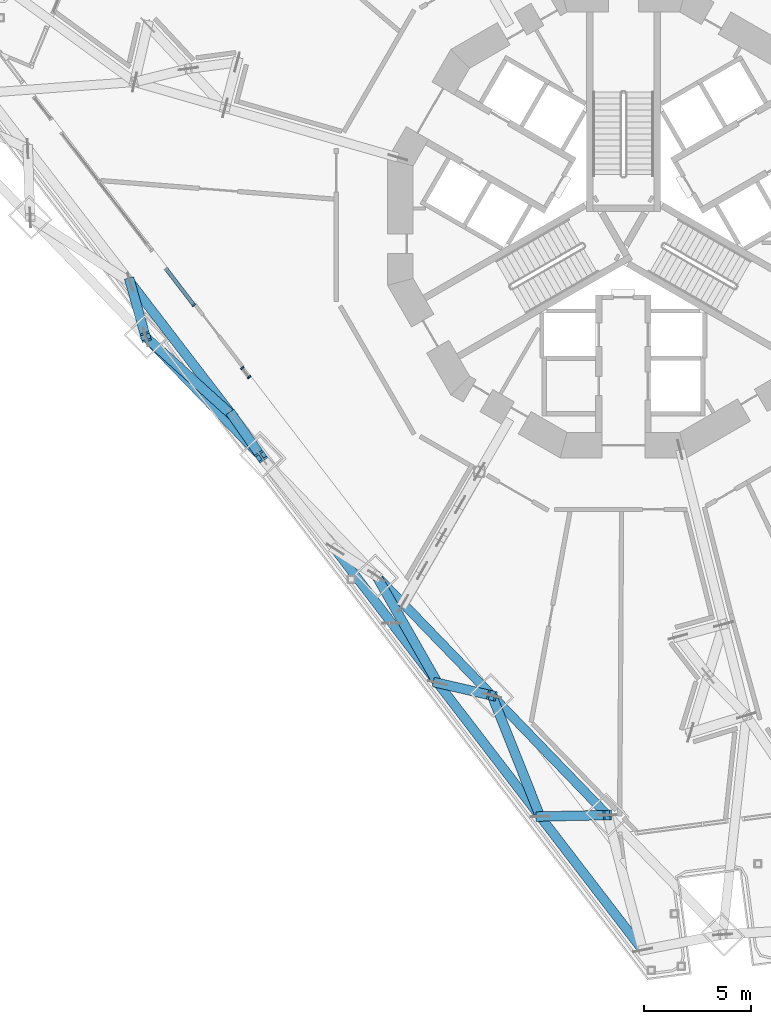
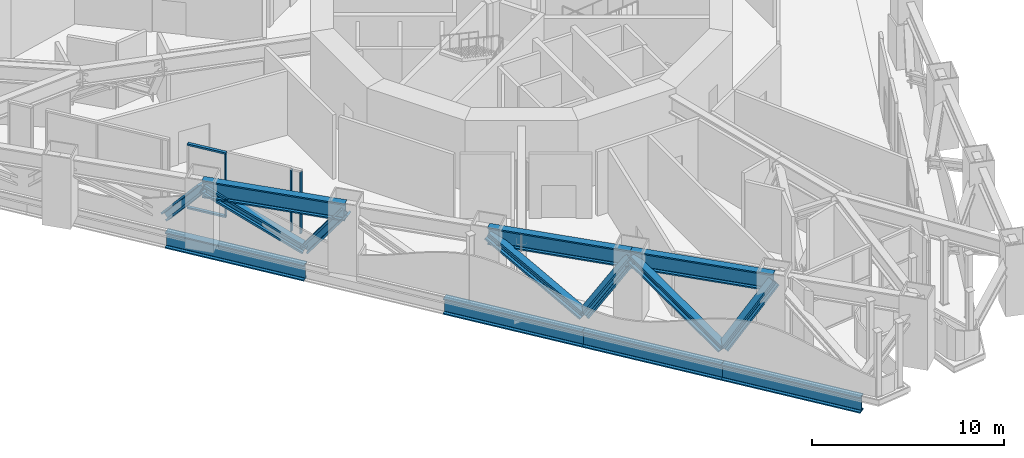
# One storey, part 1 of 31: 19 members, 2 elements without a shape of their own.
"""IFC4 building model written with IfcOpenShell, lengths in metres."""

from ifc_helpers import new_model, si_unit, direction, frame, origin, origin_2d, place, context, subcontext, project, spatial, rectangle, i_section, extrude, material, layer, layer_set, material_profile, profile_set, type_object, element, aggregate, save


model = new_model("IFC4")

# Units and contexts
model_context = context("Model", 3, precision=1e-05, world=origin(), true_north=direction((0.0, 1.0)))
body_context = subcontext(model_context, "Body", "Model", "MODEL_VIEW")
ifc_project = project(units=[si_unit("LENGTHUNIT", "METRE"), si_unit("AREAUNIT", "SQUARE_METRE"), si_unit("VOLUMEUNIT", "CUBIC_METRE"), si_unit("PLANEANGLEUNIT", "RADIAN"), si_unit("MASSUNIT", "GRAM", prefix="KILO")], contexts=[model_context])

# Site, building, storey
site_placement = place(None, origin())
site = spatial("IfcSite", under=ifc_project, at=site_placement, CompositionType="ELEMENT")
building_placement = place(site_placement, origin())
building = spatial("IfcBuilding", under=site, at=building_placement, Name="Trine Commons Tower", CompositionType="ELEMENT")
storey_placement = place(building_placement, frame((0.0, 0.0, 82.800048828125)))
storey = spatial("IfcBuildingStorey", under=building, at=storey_placement, Name="L20", CompositionType="ELEMENT", Elevation=82.800048828125)

# Curtain wall, members
ifc_material_1 = material(Name="Sky lounge glazing: anodised aluminium frame with low-emissivity double glazed unit, solar control", Category="aluminium")
ifc_layer = layer(ifc_material_1, 0.179931640625)
ifc_layer_set = layer_set([ifc_layer], Name="Sky lounge glazing: anodised aluminium frame with low-emissivity double glazed unit, solar control")
curtain_wall_type = type_object("IfcCurtainWallType", Name="Sky lounge glazing curtain wall CW5", PredefinedType="NOTDEFINED", material=ifc_layer_set)
curtain_wall_1_placement = place(storey_placement, origin())
curtain_wall_1 = element("IfcCurtainWall", 1, at=curtain_wall_1_placement, inside=storey, type_object=curtain_wall_type, Name="Sky lounge glazing L20 F3.1", PredefinedType="NOTDEFINED")
ifc_material_2 = material(Name="Anodised aluminium, bronze finish", Category="aluminium")
ifc_material_profile_1 = material_profile(ifc_material_2, rectangle(XDim=0.179931640625, YDim=0.074951171875, at=origin_2d()), Name="Mullion 75x180")
ifc_profile_set_1 = profile_set([ifc_material_profile_1], Name="Anodised aluminium, bronze finish")
member_type_1 = type_object("IfcMemberType", Name="Mullion 75x180, Anodised aluminium, bronze finish", PredefinedType="MULLION", material=ifc_profile_set_1)
member_1_placement = place(storey_placement, frame((62.52783203125, 55.263671875, 0.10986328125), z_axis=(0.0, 0.0, 1.0), x_axis=(-0.793353340291, -0.608761429009, 0.0)))
member_1 = element("IfcMember", 2, at=member_1_placement, type_object=member_type_1, Name="CW5 mullion 1.1", PredefinedType="MULLION", context=body_context, shape_type="SweptSolid", body=[
    extrude(rectangle(XDim=0.179931640625, YDim=0.074951171875, at=origin_2d()), origin(), (0.0, 0.0, 1.0), 3.93017578125),
])
member_2_placement = place(storey_placement, frame((62.20361328125, 55.686279296875, 0.10986328125), z_axis=(0.0, 0.0, 1.0), x_axis=(-0.793353340291, -0.608761429009, 0.0)))
member_2 = element("IfcMember", 3, at=member_2_placement, type_object=member_type_1, Name="CW5 mullion 2.1", PredefinedType="MULLION", context=body_context, shape_type="SweptSolid", body=[
    extrude(rectangle(XDim=0.179931640625, YDim=0.074951171875, at=origin_2d()), origin(), (0.0, 0.0, 1.0), 3.93017578125),
])
aggregate(curtain_wall_1, [member_1, member_2])

# Curtain wall, member
curtain_wall_2_placement = place(storey_placement, origin())
curtain_wall_2 = element("IfcCurtainWall", 4, at=curtain_wall_2_placement, inside=storey, type_object=curtain_wall_type, Name="Sky lounge glazing L20 F3.2", PredefinedType="NOTDEFINED")
member_3_placement = place(storey_placement, frame((59.939697265625, 58.63671875, 0.10986328125), z_axis=(0.0, 0.0, 1.0), x_axis=(-0.793353340291, -0.608761429009, 0.0)))
member_3 = element("IfcMember", 5, at=member_3_placement, type_object=member_type_1, Name="CW5 mullion 1.1", PredefinedType="MULLION", context=body_context, shape_type="SweptSolid", body=[
    extrude(rectangle(XDim=0.179931640625, YDim=0.074951171875, at=origin_2d()), origin(), (0.0, 0.0, 1.0), 3.93017578125),
])

# Members
ifc_material_3 = material(Name="Structural steel ASTM A992 Gr50", Category="steel")
ifc_material_profile_2 = material_profile(ifc_material_3, i_section(OverallWidth=0.44775390625, OverallDepth=0.54931640625, WebThickness=0.072021484375, FlangeThickness=0.11474609375, FilletRadius=0.01513671875, at=origin_2d()), Name="W14X665")
ifc_profile_set_2 = profile_set([ifc_material_profile_2], Name="Structural steel ASTM A992 Gr50")
member_type_2 = type_object("IfcMemberType", Name="Steel brace W14X665, ASTM A992 Gr50", PredefinedType="BRACE", material=ifc_profile_set_2)
member_4_placement = place(storey_placement, frame((76.1142578125, 34.74853515625, 0.504638671875), z_axis=(0.711354993995, 0.015388428008, 0.702664406955), x_axis=(-0.021627497886, 0.999766098313, 0.0)))
element("IfcMember", 6, at=member_4_placement, inside=storey, type_object=member_type_2, Name="Belt truss brace T2-DG-03", PredefinedType="BRACE", context=body_context, shape_type="SweptSolid", body=[
    extrude(i_section(OverallWidth=0.44775390625, OverallDepth=0.54931640625, WebThickness=0.072021484375, FlangeThickness=0.11474609375, FilletRadius=0.01513671875, at=origin_2d()), origin(), (0.0, 0.0, 1.0), 4.41064453125),
])
member_5_placement = place(storey_placement, frame((71.3291015625, 40.984619140625, 0.504638671875), z_axis=(0.626228133392, -0.145303270882, 0.765979950403), x_axis=(0.226024737145, 0.974121562331, 0.0)))
element("IfcMember", 7, at=member_5_placement, inside=storey, type_object=member_type_2, Name="Belt truss brace T2-DG-05", PredefinedType="BRACE", context=body_context, shape_type="SweptSolid", body=[
    extrude(i_section(OverallWidth=0.44775390625, OverallDepth=0.54931640625, WebThickness=0.072021484375, FlangeThickness=0.11474609375, FilletRadius=0.01513671875, at=origin_2d()), origin(), (0.0, 0.0, 1.0), 4.0458984375),
])
member_6_placement = place(storey_placement, frame((76.1142578125, 34.74853515625, 0.504638671875), z_axis=(-0.329902280224, 0.827617572435, 0.454107519537), x_axis=(-0.928919087969, -0.370282767635, 0.0)))
element("IfcMember", 8, at=member_6_placement, inside=storey, type_object=member_type_2, Name="Belt truss brace T2-DG-06", PredefinedType="BRACE", context=body_context, shape_type="SweptSolid", body=[
    extrude(i_section(OverallWidth=0.44775390625, OverallDepth=0.54931640625, WebThickness=0.072021484375, FlangeThickness=0.11474609375, FilletRadius=0.01513671875, at=origin_2d()), origin(), (0.0, 0.0, 1.0), 6.82470703125),
])
member_7_placement = place(storey_placement, frame((71.3291015625, 40.984619140625, 0.504638671875), z_axis=(-0.437028136557, 0.764191995946, 0.474359569513), x_axis=(-0.868073296991, -0.496436049306, 0.0)))
element("IfcMember", 9, at=member_7_placement, inside=storey, type_object=member_type_2, Name="Belt truss brace T2-DG-08", PredefinedType="BRACE", context=body_context, shape_type="SweptSolid", body=[
    extrude(i_section(OverallWidth=0.44775390625, OverallDepth=0.54931640625, WebThickness=0.072021484375, FlangeThickness=0.11474609375, FilletRadius=0.01513671875, at=origin_2d()), origin(), (0.0, 0.0, 1.0), 6.533203125),
])
member_8_placement = place(storey_placement, frame((61.7587890625, 53.45703125, 0.504638671875), z_axis=(0.342746934201, -0.490900432268, 0.800962736146), x_axis=(0.819924482972, 0.572471695566, 0.0)))
element("IfcMember", 10, at=member_8_placement, inside=storey, type_object=member_type_2, Name="Belt truss brace T2-DG-09", PredefinedType="BRACE", context=body_context, shape_type="SweptSolid", body=[
    extrude(i_section(OverallWidth=0.44775390625, OverallDepth=0.54931640625, WebThickness=0.072021484375, FlangeThickness=0.11474609375, FilletRadius=0.01513671875, at=origin_2d()), origin(), (0.0, 0.0, 1.0), 3.869140625),
])
member_9_placement = place(storey_placement, frame((56.9736328125, 59.693115234375, 0.504638671875), z_axis=(0.177014190032, -0.626100207124, 0.759384294786), x_axis=(0.962280104383, 0.272060656303, 0.0)))
element("IfcMember", 11, at=member_9_placement, inside=storey, type_object=member_type_2, Name="Belt truss brace T2-DG-11", PredefinedType="BRACE", context=body_context, shape_type="SweptSolid", body=[
    extrude(i_section(OverallWidth=0.44775390625, OverallDepth=0.54931640625, WebThickness=0.072021484375, FlangeThickness=0.11474609375, FilletRadius=0.01513671875, at=origin_2d()), origin(), (0.0, 0.0, 1.0), 4.0810546875),
])
member_10_placement = place(storey_placement, frame((61.7587890625, 53.45703125, 0.504638671875), z_axis=(-0.645127728823, 0.584495569224, 0.492112937304), x_axis=(-0.671423906043, -0.741073504043, 0.0)))
element("IfcMember", 12, at=member_10_placement, inside=storey, type_object=member_type_2, Name="Belt truss brace T2-DG-12", PredefinedType="BRACE", context=body_context, shape_type="SweptSolid", body=[
    extrude(i_section(OverallWidth=0.44775390625, OverallDepth=0.54931640625, WebThickness=0.072021484375, FlangeThickness=0.11474609375, FilletRadius=0.01513671875, at=origin_2d()), origin(), (0.0, 0.0, 1.0), 6.297607421875),
])
ifc_material_profile_3 = material_profile(ifc_material_3, i_section(OverallWidth=0.43798828125, OverallDepth=1.009521484375, WebThickness=0.041015625, FlangeThickness=0.073974609375, FilletRadius=0.024169921875, at=origin_2d()), Name="W36X529")
ifc_profile_set_3 = profile_set([ifc_material_profile_3], Name="Structural steel ASTM A992 Gr50")
member_type_3 = type_object("IfcMemberType", Name="Steel chord W36X529, ASTM A992 Gr50", PredefinedType="CHORD", material=ifc_profile_set_3)
member_11_placement = place(storey_placement, frame((80.8994140625, 28.51220703125, -0.954833984375), z_axis=(-0.608749688417, 0.793362349026, 0.0), x_axis=(-0.793362349026, -0.608749688417, 0.0)))
element("IfcMember", 13, at=member_11_placement, inside=storey, type_object=member_type_3, Name="Belt truss chord T2-LC-01", PredefinedType="CHORD", context=body_context, shape_type="SweptSolid", body=[
    extrude(i_section(OverallWidth=0.43798828125, OverallDepth=1.009521484375, WebThickness=0.041015625, FlangeThickness=0.073974609375, FilletRadius=0.024169921875, at=origin_2d()), origin(), (0.0, 0.0, 1.0), 7.860595703125),
])
for number, where, z_axis, x_axis, name in (
    (14, (76.1142578125, 34.74853515625, -0.954833984375), (-0.608764688738, 0.793350839002, 0.0), (-0.793350839002, -0.608764688738, 0.0), "Belt truss chord T2-LC-02"),
    (15, (71.3291015625, 40.984619140625, -0.954833984375), (-0.608764688738, 0.793350839002, 0.0), (-0.793350839002, -0.608764688738, 0.0), "Belt truss chord T2-LC-03"),
    (16, (61.7587890625, 53.45703125, -0.954833984375), (-0.608764688738, 0.793350839002, 0.0), (-0.793350839002, -0.608764688738, 0.0), "Belt truss chord T2-LC-05"),
):
    element("IfcMember", number, at=place(storey_placement, frame(where, z_axis=z_axis, x_axis=x_axis)), inside=storey, type_object=member_type_3, Name=name, PredefinedType="CHORD", context=body_context, shape_type="SweptSolid", body=[
        extrude(i_section(OverallWidth=0.43798828125, OverallDepth=1.009521484375, WebThickness=0.041015625, FlangeThickness=0.073974609375, FilletRadius=0.024169921875, at=origin_2d()), origin(), (0.0, 0.0, 1.0), 7.8603515625),
    ])
ifc_material_profile_4 = material_profile(ifc_material_3, i_section(OverallWidth=0.42529296875, OverallDepth=1.09228515625, WebThickness=0.04541015625, FlangeThickness=0.08203125, FilletRadius=0.030029296875, at=origin_2d()), Name="W40X593")
ifc_profile_set_4 = profile_set([ifc_material_profile_4], Name="Structural steel ASTM A992 Gr50")
member_type_4 = type_object("IfcMemberType", Name="Steel chord W40X593, ASTM A992 Gr50", PredefinedType="CHORD", material=ifc_profile_set_4)
member_12_placement = place(storey_placement, frame((79.251708984375, 34.81640625, 3.603759765625), z_axis=(-0.694662468896, 0.719335842502, 0.0), x_axis=(-0.719335842502, -0.694662468896, 0.0)))
element("IfcMember", 17, at=member_12_placement, inside=storey, type_object=member_type_4, Name="Belt truss chord T2-UC-02", PredefinedType="CHORD", context=body_context, shape_type="SweptSolid", body=[
    extrude(i_section(OverallWidth=0.42529296875, OverallDepth=1.09228515625, WebThickness=0.04541015625, FlangeThickness=0.08203125, FilletRadius=0.030029296875, at=origin_2d()), origin(), (0.0, 0.0, 1.0), 7.757568359375),
])
member_13_placement = place(storey_placement, frame((73.86279296875, 40.396728515625, 3.603759765625), z_axis=(-0.694646743095, 0.719351028572, 0.0), x_axis=(-0.719351028572, -0.694646743095, 0.0)))
element("IfcMember", 18, at=member_13_placement, inside=storey, type_object=member_type_4, Name="Belt truss chord T2-UC-03", PredefinedType="CHORD", context=body_context, shape_type="SweptSolid", body=[
    extrude(i_section(OverallWidth=0.42529296875, OverallDepth=1.09228515625, WebThickness=0.04541015625, FlangeThickness=0.08203125, FilletRadius=0.030029296875, at=origin_2d()), origin(), (0.0, 0.0, 1.0), 7.7578125),
])
member_14_placement = place(storey_placement, frame((63.0849609375, 51.5576171875, 3.603759765625), z_axis=(-0.694662468896, 0.719335842502, 0.0), x_axis=(-0.719335842502, -0.694662468896, 0.0)))
element("IfcMember", 19, at=member_14_placement, inside=storey, type_object=member_type_4, Name="Belt truss chord T2-UC-05", PredefinedType="CHORD", context=body_context, shape_type="SweptSolid", body=[
    extrude(i_section(OverallWidth=0.42529296875, OverallDepth=1.09228515625, WebThickness=0.04541015625, FlangeThickness=0.08203125, FilletRadius=0.030029296875, at=origin_2d()), origin(), (0.0, 0.0, 1.0), 7.757568359375),
])

# Member
ifc_material_profile_5 = material_profile(ifc_material_2, rectangle(XDim=0.179931640625, YDim=0.110107421875, at=origin_2d()), Name="Transom 110x180")
ifc_profile_set_5 = profile_set([ifc_material_profile_5], Name="Anodised aluminium, bronze finish")
member_type_5 = type_object("IfcMemberType", Name="Transom 110x180, Anodised aluminium, bronze finish", PredefinedType="USERDEFINED", material=ifc_profile_set_5)
member_15_placement = place(storey_placement, frame((59.962646484375, 58.606689453125, 0.054931640625), z_axis=(-0.608771391178, 0.79334569595, 0.0), x_axis=(-0.79334569595, -0.608771391178, 0.0)))
member_15 = element("IfcMember", 20, at=member_15_placement, type_object=member_type_5, Name="CW5 transom T00", ObjectType="TRANSOM", PredefinedType="USERDEFINED", context=body_context, shape_type="SweptSolid", body=[
    extrude(rectangle(XDim=0.179931640625, YDim=0.110107421875, at=origin_2d()), origin(), (0.0, 0.0, 1.0), 2.1865234375),
])

member_16_placement = place(storey_placement, frame((59.962646484375, 58.606689453125, 4.094970703125), z_axis=(-0.608771391178, 0.79334569595, 0.0), x_axis=(-0.79334569595, -0.608771391178, 0.0)))
member_16 = element("IfcMember", 21, at=member_16_placement, type_object=member_type_5, Name="CW5 transom TH00", ObjectType="TRANSOM", PredefinedType="USERDEFINED", context=body_context, shape_type="SweptSolid", body=[
    extrude(rectangle(XDim=0.179931640625, YDim=0.110107421875, at=origin_2d()), origin(), (0.0, 0.0, 1.0), 2.1865234375),
])

aggregate(curtain_wall_2, [member_15, member_16, member_3])

save(model, "model.ifc")
